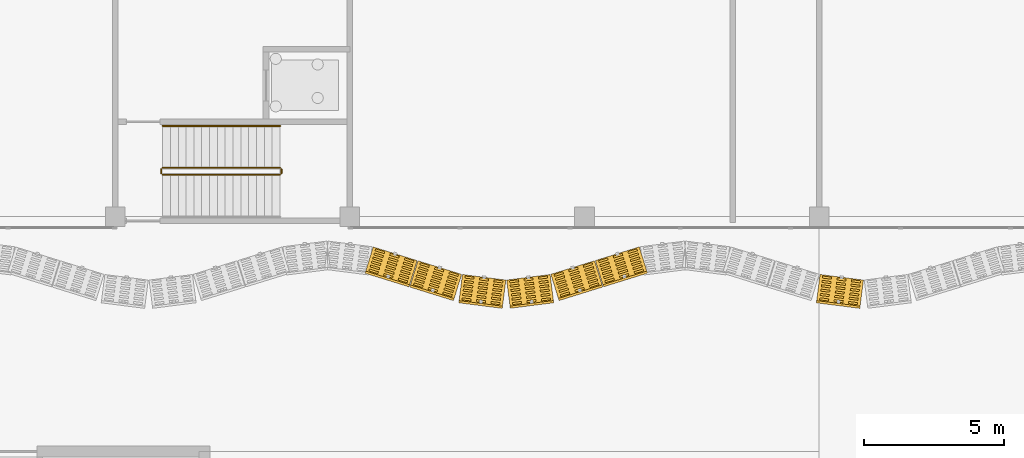
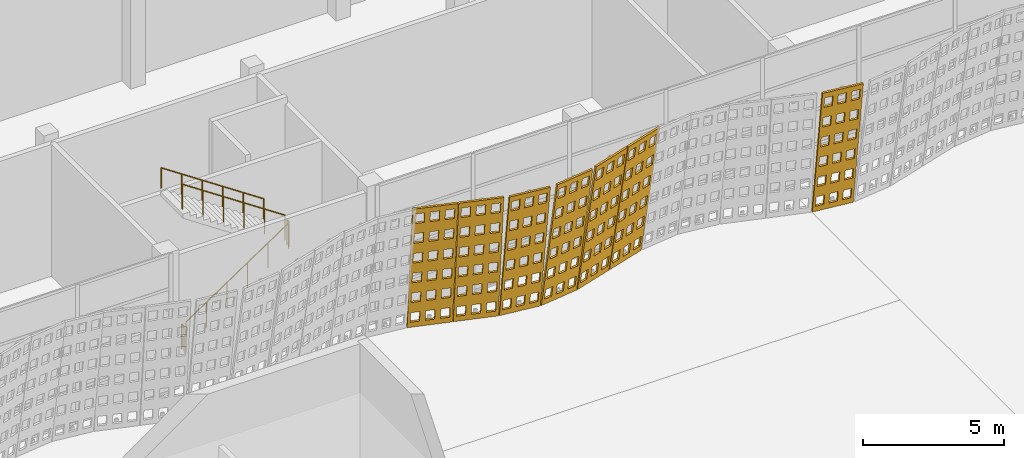
# One storey, part 194 of 210: 7 coverings, 5 railings.
"""IFC4 building model written with IfcOpenShell, lengths in metres."""

from ifc_helpers import new_model, si_unit, direction, frame, origin, origin_2d, place, context, subcontext, project, spatial, polyline, circle, outline, extrude, material, layer, layer_set, type_object, element, save


model = new_model("IFC4")

# Units and contexts
model_context = context("Model", 3, precision=1e-05, world=origin(), true_north=direction((0.0, 1.0)))
body_context = subcontext(model_context, "Body", "Model", "MODEL_VIEW")
ifc_project = project(units=[si_unit("LENGTHUNIT", "METRE"), si_unit("AREAUNIT", "SQUARE_METRE"), si_unit("VOLUMEUNIT", "CUBIC_METRE"), si_unit("PLANEANGLEUNIT", "RADIAN"), si_unit("MASSUNIT", "GRAM", prefix="KILO")], contexts=[model_context])

# Site, building, storey
site_placement = place(None, origin())
site = spatial("IfcSite", under=ifc_project, at=site_placement, CompositionType="ELEMENT")
building_placement = place(site_placement, origin())
building = spatial("IfcBuilding", under=site, at=building_placement, Name="Rain Tree Exposition and Congress Centre", CompositionType="ELEMENT")
storey_placement = place(building_placement, origin())
storey = spatial("IfcBuildingStorey", under=building, at=storey_placement, Name="L00", CompositionType="ELEMENT", Elevation=0.0)

# Railings
ifc_material_1 = material(Name="Aluminium and glass balustrade", Category="aluminium")
railing_type_1 = type_object("IfcRailingType", Name="Concourse guard 1100", PredefinedType="GUARDRAIL", material=ifc_material_1)
railing_1_placement = place(storey_placement, frame((211.699951171875, 77.10009765625, 0.1875)))
element("IfcRailing", 1, at=railing_1_placement, inside=storey, type_object=railing_type_1, Name="L00 ST-C5 stair guard 1", PredefinedType="GUARDRAIL", context=body_context, shape_type="SweptSolid", body=[
    extrude(circle(Radius=0.02392578125, at=origin_2d()), frame((0.0, 0.0, 1.076171875), z_axis=(0.830904186295, 0.0, 0.556415522067), x_axis=(0.0, 1.0, 0.0)), (0.0, 0.0, 1.0), 5.0546875),
    extrude(circle(Radius=0.02099609375, at=origin_2d()), origin(), (0.0, 0.0, 1.0), 1.052001953125),
    extrude(circle(Radius=0.02099609375, at=origin_2d()), frame((0.840087890625, 0.0, 0.5625)), (0.0, 0.0, 1.0), 1.052001953125),
    extrude(circle(Radius=0.02099609375, at=origin_2d()), frame((1.679931640625, 0.0, 1.125)), (0.0, 0.0, 1.0), 1.052001953125),
    extrude(circle(Radius=0.02099609375, at=origin_2d()), frame((2.52001953125, 0.0, 1.6875)), (0.0, 0.0, 1.0), 1.052001953125),
    extrude(circle(Radius=0.02099609375, at=origin_2d()), frame((3.35986328125, 0.0, 2.25)), (0.0, 0.0, 1.0), 1.052001953125),
    extrude(circle(Radius=0.02099609375, at=origin_2d()), frame((4.199951171875, 0.0, 2.8125)), (0.0, 0.0, 1.0), 1.052001953125),
])
railing_2_placement = place(storey_placement, frame((215.949951171875, 77.14990234375, 3.0)))
element("IfcRailing", 2, at=railing_2_placement, inside=storey, type_object=railing_type_1, Name="L00 ST-C5 stair guard 2", PredefinedType="GUARDRAIL", context=body_context, shape_type="SweptSolid", body=[
    extrude(circle(Radius=0.02392578125, at=origin_2d()), frame((0.0, 0.0, 1.076171875), z_axis=(0.0, 1.0, 0.0), x_axis=(-1.0, 0.0, 0.0)), (0.0, 0.0, 1.0), 0.150146484375),
    extrude(circle(Radius=0.02099609375, at=origin_2d()), origin(), (0.0, 0.0, 1.0), 1.052001953125),
    extrude(circle(Radius=0.02099609375, at=origin_2d()), frame((0.0, 0.150146484375, 0.0)), (0.0, 0.0, 1.0), 1.052001953125),
])
railing_3_placement = place(storey_placement, frame((215.89990234375, 77.35009765625, 3.1875)))
element("IfcRailing", 3, at=railing_3_placement, inside=storey, type_object=railing_type_1, Name="L00 ST-C5 stair guard 3", PredefinedType="GUARDRAIL", context=body_context, shape_type="SweptSolid", body=[
    extrude(circle(Radius=0.02392578125, at=origin_2d()), frame((0.0, 0.0, 1.076171875), z_axis=(-0.830904186295, 0.0, 0.556415522067), x_axis=(0.0, -1.0, 0.0)), (0.0, 0.0, 1.0), 5.0546875),
    extrude(circle(Radius=0.02099609375, at=origin_2d()), origin(), (0.0, 0.0, 1.0), 1.052001953125),
    extrude(circle(Radius=0.02099609375, at=origin_2d()), frame((-0.840087890625, 0.0, 0.5625)), (0.0, 0.0, 1.0), 1.052001953125),
    extrude(circle(Radius=0.02099609375, at=origin_2d()), frame((-1.679931640625, 0.0, 1.125)), (0.0, 0.0, 1.0), 1.052001953125),
    extrude(circle(Radius=0.02099609375, at=origin_2d()), frame((-2.52001953125, 0.0, 1.6875)), (0.0, 0.0, 1.0), 1.052001953125),
    extrude(circle(Radius=0.02099609375, at=origin_2d()), frame((-3.35986328125, 0.0, 2.25)), (0.0, 0.0, 1.0), 1.052001953125),
    extrude(circle(Radius=0.02099609375, at=origin_2d()), frame((-4.199951171875, 0.0, 2.8125)), (0.0, 0.0, 1.0), 1.052001953125),
])
railing_4_placement = place(storey_placement, frame((211.64990234375, 77.14990234375, 0.0)))
element("IfcRailing", 4, at=railing_4_placement, inside=storey, type_object=railing_type_1, Name="L00 ST-C5 stair guard 4", PredefinedType="GUARDRAIL", context=body_context, shape_type="SweptSolid", body=[
    extrude(circle(Radius=0.02392578125, at=origin_2d()), frame((0.0, 0.0, 1.076171875), z_axis=(0.0, 1.0, 0.0), x_axis=(-1.0, 0.0, 0.0)), (0.0, 0.0, 1.0), 0.150146484375),
    extrude(circle(Radius=0.02099609375, at=origin_2d()), origin(), (0.0, 0.0, 1.0), 1.052001953125),
    extrude(circle(Radius=0.02099609375, at=origin_2d()), frame((0.0, 0.150146484375, 0.0)), (0.0, 0.0, 1.0), 1.052001953125),
])
ifc_material_2 = material(Name="Aluminium handrail", Category="aluminium")
railing_type_2 = type_object("IfcRailingType", Name="Concourse handrail 900", PredefinedType="HANDRAIL", material=ifc_material_2)
railing_5_placement = place(storey_placement, frame((215.89990234375, 78.85009765625, 3.1875)))
element("IfcRailing", 5, at=railing_5_placement, inside=storey, type_object=railing_type_2, Name="L00 ST-C5 stair handrail 2", PredefinedType="HANDRAIL", context=body_context, shape_type="SweptSolid", body=[
    extrude(circle(Radius=0.02392578125, at=origin_2d()), frame((0.0, 0.0, 0.8759765625), z_axis=(-0.830904186295, 0.0, 0.556415522067), x_axis=(0.0, -1.0, 0.0)), (0.0, 0.0, 1.0), 5.0546875),
    extrude(circle(Radius=0.02099609375, at=origin_2d()), origin(), (0.0, 0.0, 1.0), 0.851806640625),
    extrude(circle(Radius=0.02099609375, at=origin_2d()), frame((-0.840087890625, 0.0, 0.5625)), (0.0, 0.0, 1.0), 0.851806640625),
    extrude(circle(Radius=0.02099609375, at=origin_2d()), frame((-1.679931640625, 0.0, 1.125)), (0.0, 0.0, 1.0), 0.851806640625),
    extrude(circle(Radius=0.02099609375, at=origin_2d()), frame((-2.52001953125, 0.0, 1.6875)), (0.0, 0.0, 1.0), 0.851806640625),
    extrude(circle(Radius=0.02099609375, at=origin_2d()), frame((-3.35986328125, 0.0, 2.25)), (0.0, 0.0, 1.0), 0.851806640625),
    extrude(circle(Radius=0.02099609375, at=origin_2d()), frame((-4.199951171875, 0.0, 2.8125)), (0.0, 0.0, 1.0), 0.851806640625),
])

# Coverings
ifc_material_3 = material(Name="Perforated terracotta", Category="masonry")
ifc_layer = layer(ifc_material_3, 0.080078125)
ifc_layer_set = layer_set([ifc_layer], Name="Perforated terracotta")
covering_type = type_object("IfcCoveringType", Name="Terracotta screen 80", PredefinedType="CLADDING", material=ifc_layer_set)
covering_1_placement = place(storey_placement, frame((219.199951171875, 74.445068359375, 0.0), z_axis=(0.293072736571, 0.943327870838, 0.155694891303), x_axis=(-0.954973588716, 0.296690823679, 0.0)))
element("IfcCovering", 6, at=covering_1_placement, inside=storey, type_object=covering_type, Name="concourse/screen/L00/138", PredefinedType="CLADDING", context=body_context, shape_type="SweptSolid", body=[
    extrude(outline(polyline([(-0.014892578125, 0.0), (-1.659912109375, 0.0), (-1.659912109375, 5.80859375), (-0.014892578125, 5.80859375), (-0.014892578125, 0.0)]), holes=[polyline([(-0.119140625, 0.249755859375), (-0.119140625, 0.71826171875), (-0.458984375, 0.71826171875), (-0.458984375, 0.249755859375), (-0.119140625, 0.249755859375)]), polyline([(-0.119140625, 1.218017578125), (-0.119140625, 1.686279296875), (-0.458984375, 1.686279296875), (-0.458984375, 1.218017578125), (-0.119140625, 1.218017578125)]), polyline([(-0.119140625, 2.18603515625), (-0.119140625, 2.654541015625), (-0.458984375, 2.654541015625), (-0.458984375, 2.18603515625), (-0.119140625, 2.18603515625)]), polyline([(-0.119140625, 3.154052734375), (-0.119140625, 3.62255859375), (-0.458984375, 3.62255859375), (-0.458984375, 3.154052734375), (-0.119140625, 3.154052734375)]), polyline([(-0.119140625, 4.122314453125), (-0.119140625, 4.5908203125), (-0.458984375, 4.5908203125), (-0.458984375, 4.122314453125), (-0.119140625, 4.122314453125)]), polyline([(-0.119140625, 5.09033203125), (-0.119140625, 5.558837890625), (-0.458984375, 5.558837890625), (-0.458984375, 5.09033203125), (-0.119140625, 5.09033203125)]), polyline([(-0.66748046875, 0.249755859375), (-0.66748046875, 0.71826171875), (-1.00732421875, 0.71826171875), (-1.00732421875, 0.249755859375), (-0.66748046875, 0.249755859375)]), polyline([(-0.66748046875, 1.218017578125), (-0.66748046875, 1.686279296875), (-1.00732421875, 1.686279296875), (-1.00732421875, 1.218017578125), (-0.66748046875, 1.218017578125)]), polyline([(-0.66748046875, 2.18603515625), (-0.66748046875, 2.654541015625), (-1.00732421875, 2.654541015625), (-1.00732421875, 2.18603515625), (-0.66748046875, 2.18603515625)]), polyline([(-0.66748046875, 3.154052734375), (-0.66748046875, 3.62255859375), (-1.00732421875, 3.62255859375), (-1.00732421875, 3.154052734375), (-0.66748046875, 3.154052734375)]), polyline([(-0.66748046875, 4.122314453125), (-0.66748046875, 4.5908203125), (-1.00732421875, 4.5908203125), (-1.00732421875, 4.122314453125), (-0.66748046875, 4.122314453125)]), polyline([(-0.66748046875, 5.09033203125), (-0.66748046875, 5.558837890625), (-1.00732421875, 5.558837890625), (-1.00732421875, 5.09033203125), (-0.66748046875, 5.09033203125)]), polyline([(-1.2158203125, 0.249755859375), (-1.2158203125, 0.71826171875), (-1.5556640625, 0.71826171875), (-1.5556640625, 0.249755859375), (-1.2158203125, 0.249755859375)]), polyline([(-1.2158203125, 1.218017578125), (-1.2158203125, 1.686279296875), (-1.5556640625, 1.686279296875), (-1.5556640625, 1.218017578125), (-1.2158203125, 1.218017578125)]), polyline([(-1.2158203125, 2.18603515625), (-1.2158203125, 2.654541015625), (-1.5556640625, 2.654541015625), (-1.5556640625, 2.18603515625), (-1.2158203125, 2.18603515625)]), polyline([(-1.2158203125, 3.154052734375), (-1.2158203125, 3.62255859375), (-1.5556640625, 3.62255859375), (-1.5556640625, 3.154052734375), (-1.2158203125, 3.154052734375)]), polyline([(-1.2158203125, 4.122314453125), (-1.2158203125, 4.5908203125), (-1.5556640625, 4.5908203125), (-1.5556640625, 4.122314453125), (-1.2158203125, 4.122314453125)]), polyline([(-1.2158203125, 5.09033203125), (-1.2158203125, 5.558837890625), (-1.5556640625, 5.558837890625), (-1.5556640625, 5.09033203125), (-1.2158203125, 5.09033203125)])]), origin(), (0.0, 0.0, 1.0), 0.080078125),
])
covering_2_placement = place(storey_placement, frame((220.800048828125, 73.949951171875, 0.0), z_axis=(0.293072736571, 0.943327870838, 0.155694891303), x_axis=(-0.954973588716, 0.296690823679, 0.0)))
element("IfcCovering", 7, at=covering_2_placement, inside=storey, type_object=covering_type, Name="concourse/screen/L00/139", PredefinedType="CLADDING", context=body_context, shape_type="SweptSolid", body=[
    extrude(outline(polyline([(-0.014892578125, 0.0), (-1.65283203125, 0.0), (-1.65283203125, 5.80859375), (-0.014892578125, 5.80859375), (-0.014892578125, 0.0)]), holes=[polyline([(-0.11865234375, 0.249755859375), (-0.11865234375, 0.71826171875), (-0.457275390625, 0.71826171875), (-0.457275390625, 0.249755859375), (-0.11865234375, 0.249755859375)]), polyline([(-0.11865234375, 1.218017578125), (-0.11865234375, 1.686279296875), (-0.457275390625, 1.686279296875), (-0.457275390625, 1.218017578125), (-0.11865234375, 1.218017578125)]), polyline([(-0.11865234375, 2.18603515625), (-0.11865234375, 2.654541015625), (-0.457275390625, 2.654541015625), (-0.457275390625, 2.18603515625), (-0.11865234375, 2.18603515625)]), polyline([(-0.11865234375, 3.154052734375), (-0.11865234375, 3.62255859375), (-0.457275390625, 3.62255859375), (-0.457275390625, 3.154052734375), (-0.11865234375, 3.154052734375)]), polyline([(-0.11865234375, 4.122314453125), (-0.11865234375, 4.5908203125), (-0.457275390625, 4.5908203125), (-0.457275390625, 4.122314453125), (-0.11865234375, 4.122314453125)]), polyline([(-0.11865234375, 5.09033203125), (-0.11865234375, 5.558837890625), (-0.457275390625, 5.558837890625), (-0.457275390625, 5.09033203125), (-0.11865234375, 5.09033203125)]), polyline([(-0.664794921875, 0.249755859375), (-0.664794921875, 0.71826171875), (-1.003173828125, 0.71826171875), (-1.003173828125, 0.249755859375), (-0.664794921875, 0.249755859375)]), polyline([(-0.664794921875, 1.218017578125), (-0.664794921875, 1.686279296875), (-1.003173828125, 1.686279296875), (-1.003173828125, 1.218017578125), (-0.664794921875, 1.218017578125)]), polyline([(-0.664794921875, 2.18603515625), (-0.664794921875, 2.654541015625), (-1.003173828125, 2.654541015625), (-1.003173828125, 2.18603515625), (-0.664794921875, 2.18603515625)]), polyline([(-0.664794921875, 3.154052734375), (-0.664794921875, 3.62255859375), (-1.003173828125, 3.62255859375), (-1.003173828125, 3.154052734375), (-0.664794921875, 3.154052734375)]), polyline([(-0.664794921875, 4.122314453125), (-0.664794921875, 4.5908203125), (-1.003173828125, 4.5908203125), (-1.003173828125, 4.122314453125), (-0.664794921875, 4.122314453125)]), polyline([(-0.664794921875, 5.09033203125), (-0.664794921875, 5.558837890625), (-1.003173828125, 5.558837890625), (-1.003173828125, 5.09033203125), (-0.664794921875, 5.09033203125)]), polyline([(-1.210693359375, 0.249755859375), (-1.210693359375, 0.71826171875), (-1.54931640625, 0.71826171875), (-1.54931640625, 0.249755859375), (-1.210693359375, 0.249755859375)]), polyline([(-1.210693359375, 1.218017578125), (-1.210693359375, 1.686279296875), (-1.54931640625, 1.686279296875), (-1.54931640625, 1.218017578125), (-1.210693359375, 1.218017578125)]), polyline([(-1.210693359375, 2.18603515625), (-1.210693359375, 2.654541015625), (-1.54931640625, 2.654541015625), (-1.54931640625, 2.18603515625), (-1.210693359375, 2.18603515625)]), polyline([(-1.210693359375, 3.154052734375), (-1.210693359375, 3.62255859375), (-1.54931640625, 3.62255859375), (-1.54931640625, 3.154052734375), (-1.210693359375, 3.154052734375)]), polyline([(-1.210693359375, 4.122314453125), (-1.210693359375, 4.5908203125), (-1.54931640625, 4.5908203125), (-1.54931640625, 4.122314453125), (-1.210693359375, 4.122314453125)]), polyline([(-1.210693359375, 5.09033203125), (-1.210693359375, 5.558837890625), (-1.54931640625, 5.558837890625), (-1.54931640625, 5.09033203125), (-1.210693359375, 5.09033203125)])]), origin(), (0.0, 0.0, 1.0), 0.080078125),
])
covering_3_placement = place(storey_placement, frame((222.39990234375, 73.455078125, 0.0), z_axis=(0.125405134464, 0.978771781185, 0.162109076259), x_axis=(-0.991891686382, 0.127086122318, 0.0)))
element("IfcCovering", 8, at=covering_3_placement, inside=storey, type_object=covering_type, Name="concourse/screen/L00/140", PredefinedType="CLADDING", context=body_context, shape_type="SweptSolid", body=[
    extrude(outline(polyline([(-0.02197265625, 0.0), (-1.587890625, 0.0), (-1.587890625, 5.813720703125), (-0.02197265625, 5.813720703125), (-0.02197265625, 0.0)]), holes=[polyline([(-0.12109375, 0.25), (-0.12109375, 0.718994140625), (-0.444580078125, 0.718994140625), (-0.444580078125, 0.25), (-0.12109375, 0.25)]), polyline([(-0.12109375, 1.218994140625), (-0.12109375, 1.687744140625), (-0.444580078125, 1.687744140625), (-0.444580078125, 1.218994140625), (-0.12109375, 1.218994140625)]), polyline([(-0.12109375, 2.18798828125), (-0.12109375, 2.65673828125), (-0.444580078125, 2.65673828125), (-0.444580078125, 2.18798828125), (-0.12109375, 2.18798828125)]), polyline([(-0.12109375, 3.156982421875), (-0.12109375, 3.625732421875), (-0.444580078125, 3.625732421875), (-0.444580078125, 3.156982421875), (-0.12109375, 3.156982421875)]), polyline([(-0.12109375, 4.125732421875), (-0.12109375, 4.594482421875), (-0.444580078125, 4.594482421875), (-0.444580078125, 4.125732421875), (-0.12109375, 4.125732421875)]), polyline([(-0.12109375, 5.0947265625), (-0.12109375, 5.563720703125), (-0.444580078125, 5.563720703125), (-0.444580078125, 5.0947265625), (-0.12109375, 5.0947265625)]), polyline([(-0.64306640625, 0.25), (-0.64306640625, 0.718994140625), (-0.966796875, 0.718994140625), (-0.966796875, 0.25), (-0.64306640625, 0.25)]), polyline([(-0.64306640625, 1.218994140625), (-0.64306640625, 1.687744140625), (-0.966796875, 1.687744140625), (-0.966796875, 1.218994140625), (-0.64306640625, 1.218994140625)]), polyline([(-0.64306640625, 2.18798828125), (-0.64306640625, 2.65673828125), (-0.966796875, 2.65673828125), (-0.966796875, 2.18798828125), (-0.64306640625, 2.18798828125)]), polyline([(-0.64306640625, 3.156982421875), (-0.64306640625, 3.625732421875), (-0.966796875, 3.625732421875), (-0.966796875, 3.156982421875), (-0.64306640625, 3.156982421875)]), polyline([(-0.64306640625, 4.125732421875), (-0.64306640625, 4.594482421875), (-0.966796875, 4.594482421875), (-0.966796875, 4.125732421875), (-0.64306640625, 4.125732421875)]), polyline([(-0.64306640625, 5.0947265625), (-0.64306640625, 5.563720703125), (-0.966796875, 5.563720703125), (-0.966796875, 5.0947265625), (-0.64306640625, 5.0947265625)]), polyline([(-1.1650390625, 0.25), (-1.1650390625, 0.718994140625), (-1.48876953125, 0.718994140625), (-1.48876953125, 0.25), (-1.1650390625, 0.25)]), polyline([(-1.1650390625, 1.218994140625), (-1.1650390625, 1.687744140625), (-1.48876953125, 1.687744140625), (-1.48876953125, 1.218994140625), (-1.1650390625, 1.218994140625)]), polyline([(-1.1650390625, 2.18798828125), (-1.1650390625, 2.65673828125), (-1.48876953125, 2.65673828125), (-1.48876953125, 2.18798828125), (-1.1650390625, 2.18798828125)]), polyline([(-1.1650390625, 3.156982421875), (-1.1650390625, 3.625732421875), (-1.48876953125, 3.625732421875), (-1.48876953125, 3.156982421875), (-1.1650390625, 3.156982421875)]), polyline([(-1.1650390625, 4.125732421875), (-1.1650390625, 4.594482421875), (-1.48876953125, 4.594482421875), (-1.48876953125, 4.125732421875), (-1.1650390625, 4.125732421875)]), polyline([(-1.1650390625, 5.0947265625), (-1.1650390625, 5.563720703125), (-1.48876953125, 5.563720703125), (-1.48876953125, 5.0947265625), (-1.1650390625, 5.0947265625)])]), origin(), (0.0, 0.0, 1.0), 0.079833984375),
])
covering_4_placement = place(storey_placement, frame((224.0, 73.25, 0.0), z_axis=(-0.125030801275, 0.978899688033, 0.161625182136), x_axis=(-0.991941518713, -0.126696580272, 0.0)))
element("IfcCovering", 9, at=covering_4_placement, inside=storey, type_object=covering_type, Name="concourse/screen/L00/141", PredefinedType="CLADDING", context=body_context, shape_type="SweptSolid", body=[
    extrude(outline(polyline([(-0.025146484375, 0.0), (-1.59130859375, 0.0), (-1.59130859375, 5.813720703125), (-0.025146484375, 5.813720703125), (-0.025146484375, 0.0)]), holes=[polyline([(-0.12451171875, 0.25), (-0.12451171875, 0.718994140625), (-0.447998046875, 0.718994140625), (-0.447998046875, 0.25), (-0.12451171875, 0.25)]), polyline([(-0.12451171875, 1.218994140625), (-0.12451171875, 1.687744140625), (-0.447998046875, 1.687744140625), (-0.447998046875, 1.218994140625), (-0.12451171875, 1.218994140625)]), polyline([(-0.12451171875, 2.18798828125), (-0.12451171875, 2.65673828125), (-0.447998046875, 2.65673828125), (-0.447998046875, 2.18798828125), (-0.12451171875, 2.18798828125)]), polyline([(-0.12451171875, 3.156982421875), (-0.12451171875, 3.625732421875), (-0.447998046875, 3.625732421875), (-0.447998046875, 3.156982421875), (-0.12451171875, 3.156982421875)]), polyline([(-0.12451171875, 4.125732421875), (-0.12451171875, 4.594482421875), (-0.447998046875, 4.594482421875), (-0.447998046875, 4.125732421875), (-0.12451171875, 4.125732421875)]), polyline([(-0.12451171875, 5.0947265625), (-0.12451171875, 5.563720703125), (-0.447998046875, 5.563720703125), (-0.447998046875, 5.0947265625), (-0.12451171875, 5.0947265625)]), polyline([(-0.646484375, 0.25), (-0.646484375, 0.718994140625), (-0.969970703125, 0.718994140625), (-0.969970703125, 0.25), (-0.646484375, 0.25)]), polyline([(-0.646484375, 1.218994140625), (-0.646484375, 1.687744140625), (-0.969970703125, 1.687744140625), (-0.969970703125, 1.218994140625), (-0.646484375, 1.218994140625)]), polyline([(-0.646484375, 2.18798828125), (-0.646484375, 2.65673828125), (-0.969970703125, 2.65673828125), (-0.969970703125, 2.18798828125), (-0.646484375, 2.18798828125)]), polyline([(-0.646484375, 3.156982421875), (-0.646484375, 3.625732421875), (-0.969970703125, 3.625732421875), (-0.969970703125, 3.156982421875), (-0.646484375, 3.156982421875)]), polyline([(-0.646484375, 4.125732421875), (-0.646484375, 4.594482421875), (-0.969970703125, 4.594482421875), (-0.969970703125, 4.125732421875), (-0.646484375, 4.125732421875)]), polyline([(-0.646484375, 5.0947265625), (-0.646484375, 5.563720703125), (-0.969970703125, 5.563720703125), (-0.969970703125, 5.0947265625), (-0.646484375, 5.0947265625)]), polyline([(-1.16845703125, 0.25), (-1.16845703125, 0.718994140625), (-1.491943359375, 0.718994140625), (-1.491943359375, 0.25), (-1.16845703125, 0.25)]), polyline([(-1.16845703125, 1.218994140625), (-1.16845703125, 1.687744140625), (-1.491943359375, 1.687744140625), (-1.491943359375, 1.218994140625), (-1.16845703125, 1.218994140625)]), polyline([(-1.16845703125, 2.18798828125), (-1.16845703125, 2.65673828125), (-1.491943359375, 2.65673828125), (-1.491943359375, 2.18798828125), (-1.16845703125, 2.18798828125)]), polyline([(-1.16845703125, 3.156982421875), (-1.16845703125, 3.625732421875), (-1.491943359375, 3.625732421875), (-1.491943359375, 3.156982421875), (-1.16845703125, 3.156982421875)]), polyline([(-1.16845703125, 4.125732421875), (-1.16845703125, 4.594482421875), (-1.491943359375, 4.594482421875), (-1.491943359375, 4.125732421875), (-1.16845703125, 4.125732421875)]), polyline([(-1.16845703125, 5.0947265625), (-1.16845703125, 5.563720703125), (-1.491943359375, 5.563720703125), (-1.491943359375, 5.0947265625), (-1.16845703125, 5.0947265625)])]), origin(), (0.0, 0.0, 1.0), 0.080078125),
])
covering_5_placement = place(storey_placement, frame((225.60009765625, 73.455078125, 0.0), z_axis=(-0.293072736571, 0.943327870838, 0.155694891303), x_axis=(-0.954973588716, -0.296690823679, 0.0)))
element("IfcCovering", 10, at=covering_5_placement, inside=storey, type_object=covering_type, Name="concourse/screen/L00/142", PredefinedType="CLADDING", context=body_context, shape_type="SweptSolid", body=[
    extrude(outline(polyline([(-0.02197265625, 0.0), (-1.659912109375, 0.0), (-1.659912109375, 5.80859375), (-0.02197265625, 5.80859375), (-0.02197265625, 0.0)]), holes=[polyline([(-0.125732421875, 0.249755859375), (-0.125732421875, 0.71826171875), (-0.464111328125, 0.71826171875), (-0.464111328125, 0.249755859375), (-0.125732421875, 0.249755859375)]), polyline([(-0.125732421875, 1.218017578125), (-0.125732421875, 1.686279296875), (-0.464111328125, 1.686279296875), (-0.464111328125, 1.218017578125), (-0.125732421875, 1.218017578125)]), polyline([(-0.125732421875, 2.18603515625), (-0.125732421875, 2.654541015625), (-0.464111328125, 2.654541015625), (-0.464111328125, 2.18603515625), (-0.125732421875, 2.18603515625)]), polyline([(-0.125732421875, 3.154052734375), (-0.125732421875, 3.62255859375), (-0.464111328125, 3.62255859375), (-0.464111328125, 3.154052734375), (-0.125732421875, 3.154052734375)]), polyline([(-0.125732421875, 4.122314453125), (-0.125732421875, 4.5908203125), (-0.464111328125, 4.5908203125), (-0.464111328125, 4.122314453125), (-0.125732421875, 4.122314453125)]), polyline([(-0.125732421875, 5.09033203125), (-0.125732421875, 5.558837890625), (-0.464111328125, 5.558837890625), (-0.464111328125, 5.09033203125), (-0.125732421875, 5.09033203125)]), polyline([(-0.671630859375, 0.249755859375), (-0.671630859375, 0.71826171875), (-1.010009765625, 0.71826171875), (-1.010009765625, 0.249755859375), (-0.671630859375, 0.249755859375)]), polyline([(-0.671630859375, 1.218017578125), (-0.671630859375, 1.686279296875), (-1.010009765625, 1.686279296875), (-1.010009765625, 1.218017578125), (-0.671630859375, 1.218017578125)]), polyline([(-0.671630859375, 2.18603515625), (-0.671630859375, 2.654541015625), (-1.010009765625, 2.654541015625), (-1.010009765625, 2.18603515625), (-0.671630859375, 2.18603515625)]), polyline([(-0.671630859375, 3.154052734375), (-0.671630859375, 3.62255859375), (-1.010009765625, 3.62255859375), (-1.010009765625, 3.154052734375), (-0.671630859375, 3.154052734375)]), polyline([(-0.671630859375, 4.122314453125), (-0.671630859375, 4.5908203125), (-1.010009765625, 4.5908203125), (-1.010009765625, 4.122314453125), (-0.671630859375, 4.122314453125)]), polyline([(-0.671630859375, 5.09033203125), (-0.671630859375, 5.558837890625), (-1.010009765625, 5.558837890625), (-1.010009765625, 5.09033203125), (-0.671630859375, 5.09033203125)]), polyline([(-1.217529296875, 0.249755859375), (-1.217529296875, 0.71826171875), (-1.55615234375, 0.71826171875), (-1.55615234375, 0.249755859375), (-1.217529296875, 0.249755859375)]), polyline([(-1.217529296875, 1.218017578125), (-1.217529296875, 1.686279296875), (-1.55615234375, 1.686279296875), (-1.55615234375, 1.218017578125), (-1.217529296875, 1.218017578125)]), polyline([(-1.217529296875, 2.18603515625), (-1.217529296875, 2.654541015625), (-1.55615234375, 2.654541015625), (-1.55615234375, 2.18603515625), (-1.217529296875, 2.18603515625)]), polyline([(-1.217529296875, 3.154052734375), (-1.217529296875, 3.62255859375), (-1.55615234375, 3.62255859375), (-1.55615234375, 3.154052734375), (-1.217529296875, 3.154052734375)]), polyline([(-1.217529296875, 4.122314453125), (-1.217529296875, 4.5908203125), (-1.55615234375, 4.5908203125), (-1.55615234375, 4.122314453125), (-1.217529296875, 4.122314453125)]), polyline([(-1.217529296875, 5.09033203125), (-1.217529296875, 5.558837890625), (-1.55615234375, 5.558837890625), (-1.55615234375, 5.09033203125), (-1.217529296875, 5.09033203125)])]), origin(), (0.0, 0.0, 1.0), 0.080078125),
])
covering_6_placement = place(storey_placement, frame((227.199951171875, 73.949951171875, 0.0), z_axis=(-0.293072736571, 0.943327870838, 0.155694891303), x_axis=(-0.954973588716, -0.296690823679, 0.0)))
element("IfcCovering", 11, at=covering_6_placement, inside=storey, type_object=covering_type, Name="concourse/screen/L00/143", PredefinedType="CLADDING", context=body_context, shape_type="SweptSolid", body=[
    extrude(outline(polyline([(-0.014892578125, 0.0), (-1.659912109375, 0.0), (-1.659912109375, 5.80859375), (-0.014892578125, 5.80859375), (-0.014892578125, 0.0)]), holes=[polyline([(-0.119140625, 0.249755859375), (-0.119140625, 0.71826171875), (-0.458984375, 0.71826171875), (-0.458984375, 0.249755859375), (-0.119140625, 0.249755859375)]), polyline([(-0.119140625, 1.218017578125), (-0.119140625, 1.686279296875), (-0.458984375, 1.686279296875), (-0.458984375, 1.218017578125), (-0.119140625, 1.218017578125)]), polyline([(-0.119140625, 2.18603515625), (-0.119140625, 2.654541015625), (-0.458984375, 2.654541015625), (-0.458984375, 2.18603515625), (-0.119140625, 2.18603515625)]), polyline([(-0.119140625, 3.154052734375), (-0.119140625, 3.62255859375), (-0.458984375, 3.62255859375), (-0.458984375, 3.154052734375), (-0.119140625, 3.154052734375)]), polyline([(-0.119140625, 4.122314453125), (-0.119140625, 4.5908203125), (-0.458984375, 4.5908203125), (-0.458984375, 4.122314453125), (-0.119140625, 4.122314453125)]), polyline([(-0.119140625, 5.09033203125), (-0.119140625, 5.558837890625), (-0.458984375, 5.558837890625), (-0.458984375, 5.09033203125), (-0.119140625, 5.09033203125)]), polyline([(-0.66748046875, 0.249755859375), (-0.66748046875, 0.71826171875), (-1.00732421875, 0.71826171875), (-1.00732421875, 0.249755859375), (-0.66748046875, 0.249755859375)]), polyline([(-0.66748046875, 1.218017578125), (-0.66748046875, 1.686279296875), (-1.00732421875, 1.686279296875), (-1.00732421875, 1.218017578125), (-0.66748046875, 1.218017578125)]), polyline([(-0.66748046875, 2.18603515625), (-0.66748046875, 2.654541015625), (-1.00732421875, 2.654541015625), (-1.00732421875, 2.18603515625), (-0.66748046875, 2.18603515625)]), polyline([(-0.66748046875, 3.154052734375), (-0.66748046875, 3.62255859375), (-1.00732421875, 3.62255859375), (-1.00732421875, 3.154052734375), (-0.66748046875, 3.154052734375)]), polyline([(-0.66748046875, 4.122314453125), (-0.66748046875, 4.5908203125), (-1.00732421875, 4.5908203125), (-1.00732421875, 4.122314453125), (-0.66748046875, 4.122314453125)]), polyline([(-0.66748046875, 5.09033203125), (-0.66748046875, 5.558837890625), (-1.00732421875, 5.558837890625), (-1.00732421875, 5.09033203125), (-0.66748046875, 5.09033203125)]), polyline([(-1.2158203125, 0.249755859375), (-1.2158203125, 0.71826171875), (-1.5556640625, 0.71826171875), (-1.5556640625, 0.249755859375), (-1.2158203125, 0.249755859375)]), polyline([(-1.2158203125, 1.218017578125), (-1.2158203125, 1.686279296875), (-1.5556640625, 1.686279296875), (-1.5556640625, 1.218017578125), (-1.2158203125, 1.218017578125)]), polyline([(-1.2158203125, 2.18603515625), (-1.2158203125, 2.654541015625), (-1.5556640625, 2.654541015625), (-1.5556640625, 2.18603515625), (-1.2158203125, 2.18603515625)]), polyline([(-1.2158203125, 3.154052734375), (-1.2158203125, 3.62255859375), (-1.5556640625, 3.62255859375), (-1.5556640625, 3.154052734375), (-1.2158203125, 3.154052734375)]), polyline([(-1.2158203125, 4.122314453125), (-1.2158203125, 4.5908203125), (-1.5556640625, 4.5908203125), (-1.5556640625, 4.122314453125), (-1.2158203125, 4.122314453125)]), polyline([(-1.2158203125, 5.09033203125), (-1.2158203125, 5.558837890625), (-1.5556640625, 5.558837890625), (-1.5556640625, 5.09033203125), (-1.2158203125, 5.09033203125)])]), origin(), (0.0, 0.0, 1.0), 0.080078125),
])
covering_7_placement = place(storey_placement, frame((235.199951171875, 73.455078125, 0.0), z_axis=(0.125405134464, 0.978771781185, 0.162109076259), x_axis=(-0.991891686382, 0.127086122318, 0.0)))
element("IfcCovering", 12, at=covering_7_placement, inside=storey, type_object=covering_type, Name="concourse/screen/L00/148", PredefinedType="CLADDING", context=body_context, shape_type="SweptSolid", body=[
    extrude(outline(polyline([(-0.02197265625, 0.0), (-1.587890625, 0.0), (-1.587890625, 5.813720703125), (-0.02197265625, 5.813720703125), (-0.02197265625, 0.0)]), holes=[polyline([(-0.12109375, 0.25), (-0.12109375, 0.718994140625), (-0.444580078125, 0.718994140625), (-0.444580078125, 0.25), (-0.12109375, 0.25)]), polyline([(-0.12109375, 1.218994140625), (-0.12109375, 1.687744140625), (-0.444580078125, 1.687744140625), (-0.444580078125, 1.218994140625), (-0.12109375, 1.218994140625)]), polyline([(-0.12109375, 2.18798828125), (-0.12109375, 2.65673828125), (-0.444580078125, 2.65673828125), (-0.444580078125, 2.18798828125), (-0.12109375, 2.18798828125)]), polyline([(-0.12109375, 3.156982421875), (-0.12109375, 3.625732421875), (-0.444580078125, 3.625732421875), (-0.444580078125, 3.156982421875), (-0.12109375, 3.156982421875)]), polyline([(-0.12109375, 4.125732421875), (-0.12109375, 4.594482421875), (-0.444580078125, 4.594482421875), (-0.444580078125, 4.125732421875), (-0.12109375, 4.125732421875)]), polyline([(-0.12109375, 5.0947265625), (-0.12109375, 5.563720703125), (-0.444580078125, 5.563720703125), (-0.444580078125, 5.0947265625), (-0.12109375, 5.0947265625)]), polyline([(-0.64306640625, 0.25), (-0.64306640625, 0.718994140625), (-0.966796875, 0.718994140625), (-0.966796875, 0.25), (-0.64306640625, 0.25)]), polyline([(-0.64306640625, 1.218994140625), (-0.64306640625, 1.687744140625), (-0.966796875, 1.687744140625), (-0.966796875, 1.218994140625), (-0.64306640625, 1.218994140625)]), polyline([(-0.64306640625, 2.18798828125), (-0.64306640625, 2.65673828125), (-0.966796875, 2.65673828125), (-0.966796875, 2.18798828125), (-0.64306640625, 2.18798828125)]), polyline([(-0.64306640625, 3.156982421875), (-0.64306640625, 3.625732421875), (-0.966796875, 3.625732421875), (-0.966796875, 3.156982421875), (-0.64306640625, 3.156982421875)]), polyline([(-0.64306640625, 4.125732421875), (-0.64306640625, 4.594482421875), (-0.966796875, 4.594482421875), (-0.966796875, 4.125732421875), (-0.64306640625, 4.125732421875)]), polyline([(-0.64306640625, 5.0947265625), (-0.64306640625, 5.563720703125), (-0.966796875, 5.563720703125), (-0.966796875, 5.0947265625), (-0.64306640625, 5.0947265625)]), polyline([(-1.1650390625, 0.25), (-1.1650390625, 0.718994140625), (-1.48876953125, 0.718994140625), (-1.48876953125, 0.25), (-1.1650390625, 0.25)]), polyline([(-1.1650390625, 1.218994140625), (-1.1650390625, 1.687744140625), (-1.48876953125, 1.687744140625), (-1.48876953125, 1.218994140625), (-1.1650390625, 1.218994140625)]), polyline([(-1.1650390625, 2.18798828125), (-1.1650390625, 2.65673828125), (-1.48876953125, 2.65673828125), (-1.48876953125, 2.18798828125), (-1.1650390625, 2.18798828125)]), polyline([(-1.1650390625, 3.156982421875), (-1.1650390625, 3.625732421875), (-1.48876953125, 3.625732421875), (-1.48876953125, 3.156982421875), (-1.1650390625, 3.156982421875)]), polyline([(-1.1650390625, 4.125732421875), (-1.1650390625, 4.594482421875), (-1.48876953125, 4.594482421875), (-1.48876953125, 4.125732421875), (-1.1650390625, 4.125732421875)]), polyline([(-1.1650390625, 5.0947265625), (-1.1650390625, 5.563720703125), (-1.48876953125, 5.563720703125), (-1.48876953125, 5.0947265625), (-1.1650390625, 5.0947265625)])]), origin(), (0.0, 0.0, 1.0), 0.079833984375),
])

save(model, "model.ifc")
